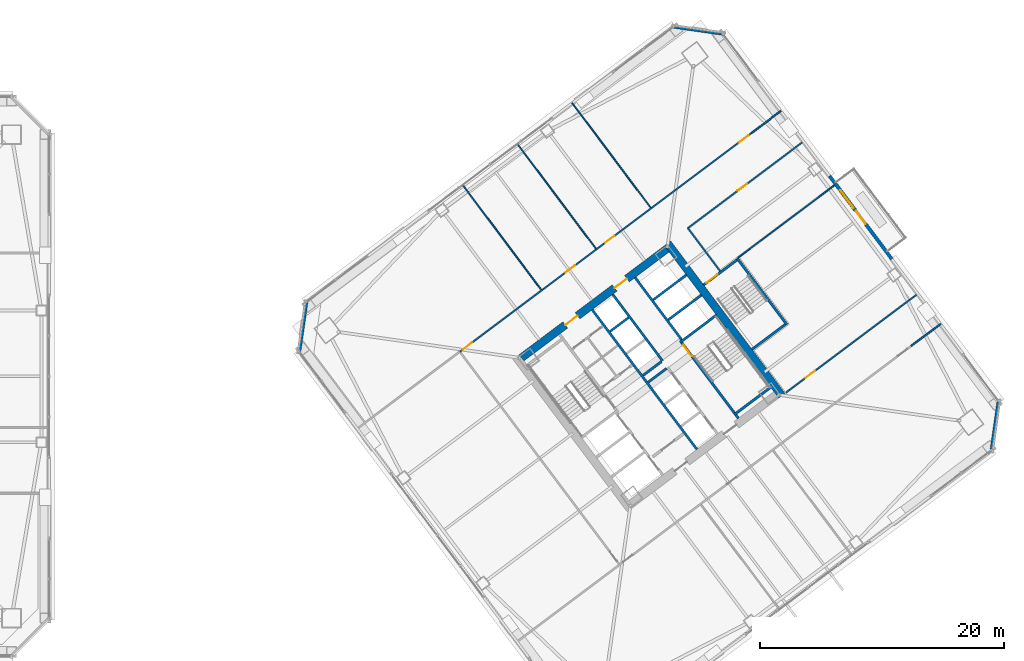
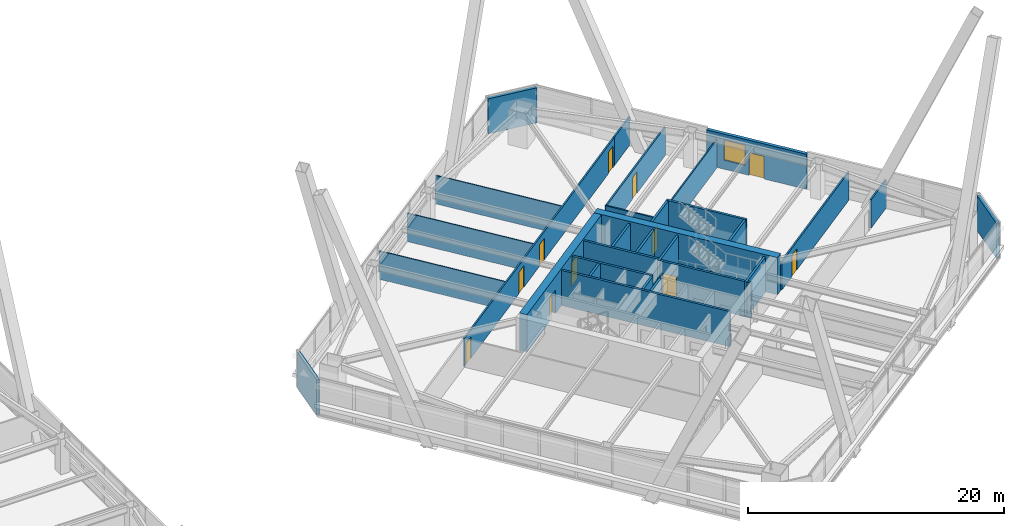
# One storey, part 65 of 75: 30 walls, 11 doors, 1 window, 12 openings.
"""IFC4 building model written with IfcOpenShell, lengths in metres."""

from ifc_helpers import new_model, si_unit, direction, frame, frame_2d, origin, place, context, subcontext, project, spatial, rectangle, extrude, material, layer, layer_set, type_object, element, fill, save


model = new_model("IFC4")

# Units and contexts
model_context = context("Model", 3, precision=1e-05, world=origin(), true_north=direction((0.0, 1.0)))
body_context = subcontext(model_context, "Body", "Model", "MODEL_VIEW")
ifc_project = project(units=[si_unit("LENGTHUNIT", "METRE"), si_unit("AREAUNIT", "SQUARE_METRE"), si_unit("VOLUMEUNIT", "CUBIC_METRE"), si_unit("PLANEANGLEUNIT", "RADIAN"), si_unit("MASSUNIT", "GRAM", prefix="KILO")], contexts=[model_context])

# Site, building, storey
site_placement = place(None, origin())
site = spatial("IfcSite", under=ifc_project, at=site_placement, CompositionType="ELEMENT")
building_placement = place(site_placement, origin())
building = spatial("IfcBuilding", under=site, at=building_placement, Name="Tashvorn Skyway Center", CompositionType="ELEMENT")
storey_placement = place(building_placement, frame((0.0, 0.0, 45.89990234375)))
storey = spatial("IfcBuildingStorey", under=building, at=storey_placement, Name="L11", CompositionType="ELEMENT", Elevation=45.89990234375)

# Wall
ifc_material_1 = material(Name="Concrete C60/75", Category="concrete")
ifc_layer_1 = layer(ifc_material_1, 0.64990234375)
ifc_layer_set_1 = layer_set([ifc_layer_1], Name="Concrete C60/75")
wall_type_1 = type_object("IfcWallType", Name="WALL-CORE-650", PredefinedType="SHEAR", material=ifc_layer_set_1)
wall_1_placement = place(storey_placement, frame((115.52392578125, 42.89306640625, 0.0), z_axis=(0.0, 0.0, 1.0), x_axis=(0.600005007985, -0.799996243986, 0.0)))
element("IfcWall", 1, at=wall_1_placement, inside=storey, type_object=wall_type_1, Name="Tower 2 L11 East Core Shear Wall", PredefinedType="SHEAR", context=body_context, shape_type="SweptSolid", body=[
    extrude(rectangle(XDim=15.60009765625, YDim=0.64990234375, at=frame_2d((7.800048828125, 0.0))), origin(), (0.0, 0.0, 1.0), 3.550048828125),
])

# Wall, openings, doors
wall_2_placement = place(storey_placement, frame((103.571044921875, 33.52197265625, 0.0), z_axis=(0.0, 0.0, 1.0), x_axis=(0.799998028465, 0.600002628705, 0.0)))
wall_2 = element("IfcWall", 2, at=wall_2_placement, inside=storey, type_object=wall_type_1, Name="Tower 2 L11 North Core Shear Wall", PredefinedType="SHEAR", context=body_context, shape_type="SweptSolid", body=[
    extrude(rectangle(XDim=14.85986328125, YDim=0.64990234375, at=frame_2d((7.429931640625, 0.0))), origin(), (0.0, 0.0, 1.0), 3.550048828125),
])
opening_1_placement = place(wall_2_placement, frame((4.47998046875, 0.0, 0.0)))
opening_1 = element("IfcOpeningElement", 3, at=opening_1_placement, cuts=wall_2, Name="Opening D-FFL-1250", PredefinedType="OPENING", context=body_context, shape_type="SweptSolid", body=[
    extrude(rectangle(XDim=1.25, YDim=2.25, at=frame_2d((0.625, 1.125))), frame((0.0, 0.3349609375, 0.0), z_axis=(0.0, -1.0, 0.0), x_axis=(1.0, 0.0, 0.0)), (0.0, 0.0, 1.0), 0.669921875),
])
opening_2_placement = place(wall_2_placement, frame((9.530029296875, 0.0, 0.0)))
opening_2 = element("IfcOpeningElement", 4, at=opening_2_placement, cuts=wall_2, Name="Opening D-FFL-1250", PredefinedType="OPENING", context=body_context, shape_type="SweptSolid", body=[
    extrude(rectangle(XDim=1.25, YDim=2.25, at=frame_2d((0.625, 1.125))), frame((0.0, 0.3349609375, 0.0), z_axis=(0.0, -1.0, 0.0), x_axis=(1.0, 0.0, 0.0)), (0.0, 0.0, 1.0), 0.669921875),
])
ifc_material_2 = material(Name="Hollow galvanized steel fire door assembly", Category="steel")
door_type_1 = type_object("IfcDoorType", Name="DOOR-FFL-1250", OperationType="NOTDEFINED", PredefinedType="DOOR", material=ifc_material_2)
door_1_placement = place(opening_1_placement, origin())
door_1 = element("IfcDoor", 5, at=door_1_placement, inside=storey, type_object=door_type_1, Name="Tower 2 L11 Core North Service Lobby Door", OperationType="SINGLE_SWING_LEFT", OverallHeight=2.25, OverallWidth=1.25, PredefinedType="DOOR", context=body_context, shape_type="SweptSolid", body=[
    extrude(rectangle(XDim=1.25, YDim=2.25, at=frame_2d((0.625, 1.125))), frame((0.0, 0.02490234375, 0.0), z_axis=(0.0, -1.0, 0.0), x_axis=(1.0, 0.0, 0.0)), (0.0, 0.0, 1.0), 0.050048828125),
])
fill(opening_1, door_1)
door_2_placement = place(opening_2_placement, origin())
door_2 = element("IfcDoor", 6, at=door_2_placement, inside=storey, type_object=door_type_1, Name="Tower 2 L11 Core North Lift Lobby Door", OperationType="SINGLE_SWING_RIGHT", OverallHeight=2.25, OverallWidth=1.25, PredefinedType="DOOR", context=body_context, shape_type="SweptSolid", body=[
    extrude(rectangle(XDim=1.25, YDim=2.25, at=frame_2d((0.625, 1.125))), frame((0.0, 0.02490234375, 0.0), z_axis=(0.0, -1.0, 0.0), x_axis=(1.0, 0.0, 0.0)), (0.0, 0.0, 1.0), 0.050048828125),
])
fill(opening_2, door_2)

# Wall, openings, door, window
ifc_material_3 = material(Name="Precast concrete C40/50", Category="concrete")
ifc_layer_2 = layer(ifc_material_3, 0.280029296875)
ifc_layer_set_2 = layer_set([ifc_layer_2], Name="Precast concrete C40/50")
wall_type_2 = type_object("IfcWallType", Name="WALL-EXT-280", PredefinedType="SOLIDWALL", material=ifc_layer_set_2)
wall_3_placement = place(storey_placement, frame((128.7939453125, 48.407958984375, 0.0), z_axis=(0.0, 0.0, 1.0), x_axis=(0.600004595526, -0.799996553335, 0.0)))
wall_3 = element("IfcWall", 7, at=wall_3_placement, inside=storey, type_object=wall_type_2, Name="Tower 2 L11 East Terrace Portal Wall", PredefinedType="SOLIDWALL", context=body_context, shape_type="SweptSolid", body=[
    extrude(rectangle(XDim=8.5, YDim=0.280029296875, at=frame_2d((4.25, 0.0))), origin(), (0.0, 0.0, 1.0), 3.35009765625),
])
opening_3_placement = place(wall_3_placement, frame((3.60009765625, 0.0, 0.0)))
opening_3 = element("IfcOpeningElement", 8, at=opening_3_placement, cuts=wall_3, Name="Opening D-TER-1300", PredefinedType="OPENING", context=body_context, shape_type="SweptSolid", body=[
    extrude(rectangle(XDim=1.300048828125, YDim=2.14990234375, at=frame_2d((0.64990234375, 1.074951171875))), frame((0.0, 0.14990234375, 0.0), z_axis=(0.0, -1.0, 0.0), x_axis=(1.0, 0.0, 0.0)), (0.0, 0.0, 1.0), 0.300048828125),
])
opening_4_placement = place(wall_3_placement, frame((1.4599609375, 0.0, 0.85009765625)))
opening_4 = element("IfcOpeningElement", 9, at=opening_4_placement, cuts=wall_3, Name="Opening WIN-1800", PredefinedType="OPENING", context=body_context, shape_type="SweptSolid", body=[
    extrude(rectangle(XDim=1.800048828125, YDim=1.919921875, at=frame_2d((0.89990234375, 0.9599609375))), frame((0.0, 0.14990234375, 0.0), z_axis=(0.0, -1.0, 0.0), x_axis=(1.0, 0.0, 0.0)), (0.0, 0.0, 1.0), 0.300048828125),
])
ifc_material_4 = material(Name="Thermally broken bronze-anodized aluminium 6063-T6", Category="aluminium")
door_type_2 = type_object("IfcDoorType", Name="DOOR-TERR-1300", OperationType="NOTDEFINED", PredefinedType="DOOR", material=ifc_material_4)
door_3_placement = place(opening_3_placement, origin())
door_3 = element("IfcDoor", 10, at=door_3_placement, inside=storey, type_object=door_type_2, Name="Tower 2 L11 Terrace Access Door", OperationType="SINGLE_SWING_RIGHT", OverallHeight=2.14990234375, OverallWidth=1.300048828125, PredefinedType="DOOR", context=body_context, shape_type="SweptSolid", body=[
    extrude(rectangle(XDim=1.300048828125, YDim=2.14990234375, at=frame_2d((0.64990234375, 1.074951171875))), frame((0.0, 0.02490234375, 0.0), z_axis=(0.0, -1.0, 0.0), x_axis=(1.0, 0.0, 0.0)), (0.0, 0.0, 1.0), 0.050048828125),
])
fill(opening_3, door_3)
ifc_material_5 = material(Name="Low-E solar-control double insulating safety glass", Category="glass")
window_type = type_object("IfcWindowType", Name="WIN-TERR-1800", PartitioningType="SINGLE_PANEL", PredefinedType="WINDOW", material=ifc_material_5)
window_placement = place(opening_4_placement, origin())
window = element("IfcWindow", 11, at=window_placement, inside=storey, type_object=window_type, Name="Tower 2 L11 Terrace Window", OverallHeight=1.919921875, OverallWidth=1.800048828125, PartitioningType="SINGLE_PANEL", PredefinedType="WINDOW", context=body_context, shape_type="SweptSolid", body=[
    extrude(rectangle(XDim=1.800048828125, YDim=1.919921875, at=frame_2d((0.89990234375, 0.9599609375))), frame((0.0, 0.030029296875, 0.0), z_axis=(0.0, -1.0, 0.0), x_axis=(1.0, 0.0, 0.0)), (0.0, 0.0, 1.0), 0.06005859375),
])
fill(opening_4, window)

# Walls
for number, where, z_axis, x_axis, name in (
    (12, (85.360107421875, 34.02001953125, 0.0), (0.0, 0.0, 1.0), (0.14137968631, 0.989955445613, 0.0), "Tower 2 L11 NW Precast Chamfer Wall"),
    (13, (116.02001953125, 60.639892578125, 0.0), (0.0, 0.0, 1.0), (0.989955445613, -0.14137968631, 0.0), "Tower 2 L11 NE Precast Chamfer Wall"),
    (14, (142.639892578125, 29.97998046875, 0.0), (0.0, 0.0, 1.0), (-0.14137968631, -0.989955445613, 0.0), "Tower 2 L11 SE Precast Chamfer Wall"),
):
    element("IfcWall", number, at=place(storey_placement, frame(where, z_axis=z_axis, x_axis=x_axis)), inside=storey, type_object=wall_type_2, Name=name, PredefinedType="SOLIDWALL", context=body_context, shape_type="SweptSolid", body=[
        extrude(rectangle(XDim=4.101318359375, YDim=0.280029296875, at=frame_2d((2.05078125, 0.0))), origin(), (0.0, 0.0, 1.0), 3.35009765625),
    ])
ifc_material_6 = material(Name="Gypsum board on cold-formed steel stud framing", Category="steel")
ifc_layer_3 = layer(ifc_material_6, 0.110107421875)
ifc_layer_set_3 = layer_set([ifc_layer_3], Name="Gypsum board on cold-formed steel stud framing")
wall_type_3 = type_object("IfcWallType", Name="WALL-PART-110", PredefinedType="PARTITIONING", material=ifc_layer_set_3)
wall_4_placement = place(storey_placement, frame((105.172119140625, 39.10400390625, 0.0), z_axis=(0.0, 0.0, 1.0), x_axis=(-0.600007301277, 0.79999452399, 0.0)))
element("IfcWall", 15, at=wall_4_placement, inside=storey, type_object=wall_type_3, Name="Tower 2 L11 North Suite Partition 1", PredefinedType="PARTITIONING", context=body_context, shape_type="SweptSolid", body=[
    extrude(rectangle(XDim=10.7001953125, YDim=0.110107421875, at=frame_2d((5.35009765625, 0.0))), origin(), (0.0, 0.0, 1.0), 2.703125),
])
wall_5_placement = place(storey_placement, frame((109.652099609375, 42.464111328125, 0.0), z_axis=(0.0, 0.0, 1.0), x_axis=(-0.600018253432, 0.799986309601, 0.0)))
element("IfcWall", 16, at=wall_5_placement, inside=storey, type_object=wall_type_3, Name="Tower 2 L11 North Suite Partition 2", PredefinedType="PARTITIONING", context=body_context, shape_type="SweptSolid", body=[
    extrude(rectangle(XDim=10.699951171875, YDim=0.110107421875, at=frame_2d((5.35009765625, 0.0))), origin(), (0.0, 0.0, 1.0), 2.703125),
])
wall_6_placement = place(storey_placement, frame((114.132080078125, 45.823974609375, 0.0), z_axis=(0.0, 0.0, 1.0), x_axis=(-0.600007301277, 0.79999452399, 0.0)))
element("IfcWall", 17, at=wall_6_placement, inside=storey, type_object=wall_type_3, Name="Tower 2 L11 North Suite Partition 3", PredefinedType="PARTITIONING", context=body_context, shape_type="SweptSolid", body=[
    extrude(rectangle(XDim=10.7001953125, YDim=0.110107421875, at=frame_2d((5.35009765625, 0.0))), origin(), (0.0, 0.0, 1.0), 2.703125),
])
wall_7_placement = place(storey_placement, frame((129.18408203125, 47.637939453125, 0.0), z_axis=(0.0, 0.0, 1.0), x_axis=(-0.800008922773, -0.599988102785, 0.0)))
element("IfcWall", 18, at=wall_7_placement, inside=storey, type_object=wall_type_3, Name="Tower 2 L11 East Suite Partition 1", PredefinedType="PARTITIONING", context=body_context, shape_type="SweptSolid", body=[
    extrude(rectangle(XDim=9.85009765625, YDim=0.110107421875, at=frame_2d((4.925048828125, 0.0))), origin(), (0.0, 0.0, 1.0), 2.703125),
])
ifc_layer_4 = layer(ifc_material_6, 0.135009765625)
ifc_layer_set_4 = layer_set([ifc_layer_4], Name="Gypsum board on cold-formed steel stud framing")
wall_type_4 = type_object("IfcWallType", Name="WALL-PART-135", PredefinedType="PARTITIONING", material=ifc_layer_set_4)
wall_8_placement = place(storey_placement, frame((119.823974609375, 40.617919921875, 0.0), z_axis=(0.0, 0.0, 1.0), x_axis=(-0.599982243973, 0.800013316712, 0.0)))
element("IfcWall", 19, at=wall_8_placement, inside=storey, type_object=wall_type_4, Name="Tower 2 L11 Stair 3 Access Corridor Wall", PredefinedType="PARTITIONING", context=body_context, shape_type="SweptSolid", body=[
    extrude(rectangle(XDim=4.39990234375, YDim=0.135009765625, at=frame_2d((2.199951171875, 0.0))), origin(), (0.0, 0.0, 1.0), 2.703125),
])

# Wall, openings, doors
wall_9_placement = place(storey_placement, frame((98.51611328125, 34.011962890625, 0.0), z_axis=(0.0, 0.0, 1.0), x_axis=(0.799998035726, 0.600002619023, 0.0)))
wall_9 = element("IfcWall", 20, at=wall_9_placement, inside=storey, type_object=wall_type_4, Name="Tower 2 L11 North Suite Wall", PredefinedType="PARTITIONING", context=body_context, shape_type="SweptSolid", body=[
    extrude(rectangle(XDim=29.829833984375, YDim=0.135009765625, at=frame_2d((14.9150390625, 0.0))), origin(), (0.0, 0.0, 1.0), 2.703125),
])
opening_5_placement = place(wall_9_placement, frame((0.300048828125, 0.0, 0.0)))
opening_5 = element("IfcOpeningElement", 21, at=opening_5_placement, cuts=wall_9, Name="Opening D-INT-950", PredefinedType="OPENING", context=body_context, shape_type="SweptSolid", body=[
    extrude(rectangle(XDim=0.949951171875, YDim=2.050048828125, at=frame_2d((0.47509765625, 1.02490234375))), frame((0.0, 0.077392578125, 0.0), z_axis=(0.0, -1.0, 0.0), x_axis=(1.0, 0.0, 0.0)), (0.0, 0.0, 1.0), 0.155029296875),
])
opening_6_placement = place(wall_9_placement, frame((10.834716796875, 0.0, 0.0)))
opening_6 = element("IfcOpeningElement", 22, at=opening_6_placement, cuts=wall_9, Name="Opening D-INT-950", PredefinedType="OPENING", context=body_context, shape_type="SweptSolid", body=[
    extrude(rectangle(XDim=0.949951171875, YDim=2.050048828125, at=frame_2d((0.47509765625, 1.02490234375))), frame((0.0, 0.077392578125, 0.0), z_axis=(0.0, -1.0, 0.0), x_axis=(1.0, 0.0, 0.0)), (0.0, 0.0, 1.0), 0.155029296875),
])
opening_7_placement = place(wall_9_placement, frame((14.878662109375, 0.0, 0.0)))
opening_7 = element("IfcOpeningElement", 23, at=opening_7_placement, cuts=wall_9, Name="Opening D-INT-950", PredefinedType="OPENING", context=body_context, shape_type="SweptSolid", body=[
    extrude(rectangle(XDim=0.949951171875, YDim=2.050048828125, at=frame_2d((0.47509765625, 1.02490234375))), frame((0.0, 0.077392578125, 0.0), z_axis=(0.0, -1.0, 0.0), x_axis=(1.0, 0.0, 0.0)), (0.0, 0.0, 1.0), 0.155029296875),
])
opening_8_placement = place(wall_9_placement, frame((28.580078125, 0.0, 0.0)))
opening_8 = element("IfcOpeningElement", 24, at=opening_8_placement, cuts=wall_9, Name="Opening D-INT-950", PredefinedType="OPENING", context=body_context, shape_type="SweptSolid", body=[
    extrude(rectangle(XDim=0.949951171875, YDim=2.050048828125, at=frame_2d((0.47509765625, 1.02490234375))), frame((0.0, 0.077392578125, 0.0), z_axis=(0.0, -1.0, 0.0), x_axis=(1.0, 0.0, 0.0)), (0.0, 0.0, 1.0), 0.155029296875),
])
ifc_material_7 = material(Name="Solid-core architectural oak veneer door")
door_type_3 = type_object("IfcDoorType", Name="DOOR-INT-950", OperationType="NOTDEFINED", PredefinedType="DOOR", material=ifc_material_7)
door_4_placement = place(opening_5_placement, origin())
door_4 = element("IfcDoor", 25, at=door_4_placement, inside=storey, type_object=door_type_3, Name="Tower 2 L11 Research Library Door", OperationType="SINGLE_SWING_LEFT", OverallHeight=2.050048828125, OverallWidth=0.949951171875, PredefinedType="DOOR", context=body_context, shape_type="SweptSolid", body=[
    extrude(rectangle(XDim=0.949951171875, YDim=2.050048828125, at=frame_2d((0.47509765625, 1.02490234375))), frame((0.0, 0.02490234375, 0.0), z_axis=(0.0, -1.0, 0.0), x_axis=(1.0, 0.0, 0.0)), (0.0, 0.0, 1.0), 0.050048828125),
])
fill(opening_5, door_4)
door_5_placement = place(opening_6_placement, origin())
door_5 = element("IfcDoor", 26, at=door_5_placement, inside=storey, type_object=door_type_3, Name="Tower 2 L11 Research Library Door", OperationType="SINGLE_SWING_RIGHT", OverallHeight=2.050048828125, OverallWidth=0.949951171875, PredefinedType="DOOR", context=body_context, shape_type="SweptSolid", body=[
    extrude(rectangle(XDim=0.949951171875, YDim=2.050048828125, at=frame_2d((0.47509765625, 1.02490234375))), frame((0.0, 0.02490234375, 0.0), z_axis=(0.0, -1.0, 0.0), x_axis=(1.0, 0.0, 0.0)), (0.0, 0.0, 1.0), 0.050048828125),
])
fill(opening_6, door_5)
door_6_placement = place(opening_7_placement, origin())
door_6 = element("IfcDoor", 27, at=door_6_placement, inside=storey, type_object=door_type_3, Name="Tower 2 L11 Reading Lounge Door", OperationType="SINGLE_SWING_LEFT", OverallHeight=2.050048828125, OverallWidth=0.949951171875, PredefinedType="DOOR", context=body_context, shape_type="SweptSolid", body=[
    extrude(rectangle(XDim=0.949951171875, YDim=2.050048828125, at=frame_2d((0.47509765625, 1.02490234375))), frame((0.0, 0.02490234375, 0.0), z_axis=(0.0, -1.0, 0.0), x_axis=(1.0, 0.0, 0.0)), (0.0, 0.0, 1.0), 0.050048828125),
])
fill(opening_7, door_6)
door_7_placement = place(opening_8_placement, origin())
door_7 = element("IfcDoor", 28, at=door_7_placement, inside=storey, type_object=door_type_3, Name="Tower 2 L11 Research Library Door", OperationType="SINGLE_SWING_RIGHT", OverallHeight=2.050048828125, OverallWidth=0.949951171875, PredefinedType="DOOR", context=body_context, shape_type="SweptSolid", body=[
    extrude(rectangle(XDim=0.949951171875, YDim=2.050048828125, at=frame_2d((0.47509765625, 1.02490234375))), frame((0.0, 0.02490234375, 0.0), z_axis=(0.0, -1.0, 0.0), x_axis=(1.0, 0.0, 0.0)), (0.0, 0.0, 1.0), 0.050048828125),
])
fill(opening_8, door_7)

# Walls
for number, where, z_axis, x_axis, name in (
    (29, (122.3798828125, 51.909912109375, 0.0), (0.0, 0.0, 1.0), (0.799990331366, 0.600012891296, 0.0), "Tower 2 L11 North-East Suite South Wall"),
    (30, (135.4599609375, 34.469970703125, 0.0), (0.0, 0.0, 1.0), (0.799990331366, 0.600012891296, 0.0), "Tower 2 L11 South-East Suite North Wall"),
):
    element("IfcWall", number, at=place(storey_placement, frame(where, z_axis=z_axis, x_axis=x_axis)), inside=storey, type_object=wall_type_4, Name=name, PredefinedType="PARTITIONING", context=body_context, shape_type="SweptSolid", body=[
        extrude(rectangle(XDim=3.030029296875, YDim=0.135009765625, at=frame_2d((1.51513671875, 0.0))), origin(), (0.0, 0.0, 1.0), 2.703125),
    ])

# Wall, opening, door
wall_10_placement = place(storey_placement, frame((126.5439453125, 51.157958984375, 0.0), z_axis=(0.0, 0.0, 1.0), x_axis=(-0.799994991918, -0.600006677385, 0.0)))
wall_10 = element("IfcWall", 31, at=wall_10_placement, inside=storey, type_object=wall_type_4, Name="Tower 2 L11 East Suite North Wall", PredefinedType="PARTITIONING", context=body_context, shape_type="SweptSolid", body=[
    extrude(rectangle(XDim=11.699951171875, YDim=0.135009765625, at=frame_2d((5.85009765625, 0.0))), origin(), (0.0, 0.0, 1.0), 2.703125),
])
opening_9_placement = place(wall_10_placement, frame((5.64990234375, 0.0, 0.0)))
opening_9 = element("IfcOpeningElement", 32, at=opening_9_placement, cuts=wall_10, Name="Opening D-INT-950", PredefinedType="OPENING", context=body_context, shape_type="SweptSolid", body=[
    extrude(rectangle(XDim=0.949951171875, YDim=2.050048828125, at=frame_2d((0.47509765625, 1.02490234375))), frame((0.0, 0.077392578125, 0.0), z_axis=(0.0, -1.0, 0.0), x_axis=(1.0, 0.0, 0.0)), (0.0, 0.0, 1.0), 0.155029296875),
])
door_8_placement = place(opening_9_placement, origin())
door_8 = element("IfcDoor", 33, at=door_8_placement, inside=storey, type_object=door_type_3, Name="Tower 2 L11 Research Library Door", OperationType="SINGLE_SWING_RIGHT", OverallHeight=2.050048828125, OverallWidth=0.949951171875, PredefinedType="DOOR", context=body_context, shape_type="SweptSolid", body=[
    extrude(rectangle(XDim=0.949951171875, YDim=2.050048828125, at=frame_2d((0.47509765625, 1.02490234375))), frame((0.0, 0.02490234375, 0.0), z_axis=(0.0, -1.0, 0.0), x_axis=(1.0, 0.0, 0.0)), (0.0, 0.0, 1.0), 0.050048828125),
])
fill(opening_9, door_8)

wall_11_placement = place(storey_placement, frame((125.2080078125, 30.656005859375, 0.0), z_axis=(0.0, 0.0, 1.0), x_axis=(0.800002191231, 0.599997078347, 0.0)))
wall_11 = element("IfcWall", 34, at=wall_11_placement, inside=storey, type_object=wall_type_4, Name="Tower 2 L11 East Suite South Wall", PredefinedType="PARTITIONING", context=body_context, shape_type="SweptSolid", body=[
    extrude(rectangle(XDim=13.3701171875, YDim=0.135009765625, at=frame_2d((6.68505859375, 0.0))), origin(), (0.0, 0.0, 1.0), 2.703125),
])
opening_10_placement = place(wall_11_placement, frame((2.044921875, 0.0, 0.0)))
opening_10 = element("IfcOpeningElement", 35, at=opening_10_placement, cuts=wall_11, Name="Opening D-INT-950", PredefinedType="OPENING", context=body_context, shape_type="SweptSolid", body=[
    extrude(rectangle(XDim=0.949951171875, YDim=2.050048828125, at=frame_2d((0.47509765625, 1.02490234375))), frame((0.0, 0.077392578125, 0.0), z_axis=(0.0, -1.0, 0.0), x_axis=(1.0, 0.0, 0.0)), (0.0, 0.0, 1.0), 0.155029296875),
])
door_9_placement = place(opening_10_placement, origin())
door_9 = element("IfcDoor", 36, at=door_9_placement, inside=storey, type_object=door_type_3, Name="Tower 2 L11 Public Restroom Door", OperationType="SINGLE_SWING_LEFT", OverallHeight=2.050048828125, OverallWidth=0.949951171875, PredefinedType="DOOR", context=body_context, shape_type="SweptSolid", body=[
    extrude(rectangle(XDim=0.949951171875, YDim=2.050048828125, at=frame_2d((0.47509765625, 1.02490234375))), frame((0.0, 0.02490234375, 0.0), z_axis=(0.0, -1.0, 0.0), x_axis=(1.0, 0.0, 0.0)), (0.0, 0.0, 1.0), 0.050048828125),
])
fill(opening_10, door_9)

# Walls
ifc_material_8 = material(Name="Concrete C40/50", Category="concrete")
ifc_layer_5 = layer(ifc_material_8, 0.199951171875)
ifc_layer_set_5 = layer_set([ifc_layer_5], Name="Concrete C40/50")
wall_type_5 = type_object("IfcWallType", Name="WALL-SHAFT-200", PredefinedType="SOLIDWALL", material=ifc_layer_set_5)
for number, where, z_axis, x_axis, name in (
    (37, (115.590087890625, 36.6298828125, 0.0), (0.0, 0.0, 1.0), (0.799973995579, 0.600034670996, 0.0), "Tower 2 L11 High-Rise Shaft Divider"),
    (38, (114.360107421875, 38.27001953125, 0.0), (0.0, 0.0, 1.0), (0.799973995579, 0.600034670996, 0.0), "Tower 2 L11 High-Rise Shaft Divider"),
):
    element("IfcWall", number, at=place(storey_placement, frame(where, z_axis=z_axis, x_axis=x_axis)), inside=storey, type_object=wall_type_5, Name=name, PredefinedType="SOLIDWALL", context=body_context, shape_type="SweptSolid", body=[
        extrude(rectangle(XDim=3.3798828125, YDim=0.199951171875, at=frame_2d((1.68994140625, 0.0))), origin(), (0.0, 0.0, 1.0), 3.35009765625),
    ])
wall_12_placement = place(storey_placement, frame((113.946044921875, 31.52197265625, 0.0), z_axis=(0.0, 0.0, 1.0), x_axis=(0.8, 0.6, 0.0)))
element("IfcWall", 39, at=wall_12_placement, inside=storey, type_object=wall_type_5, Name="Tower 2 L11 Low-Rise Shaft Divider", PredefinedType="SOLIDWALL", context=body_context, shape_type="SweptSolid", body=[
    extrude(rectangle(XDim=1.8798828125, YDim=0.199951171875, at=frame_2d((0.93994140625, 0.0))), origin(), (0.0, 0.0, 1.0), 3.35009765625),
])
wall_13_placement = place(storey_placement, frame((115.110107421875, 33.27001953125, 0.0), z_axis=(0.0, 0.0, 1.0), x_axis=(-0.600011488909, 0.79999138319, 0.0)))
element("IfcWall", 40, at=wall_13_placement, inside=storey, type_object=wall_type_5, Name="Tower 2 L11 Mid-Rise Core Wall", PredefinedType="SOLIDWALL", context=body_context, shape_type="SweptSolid", body=[
    extrude(rectangle(XDim=6.800048828125, YDim=0.199951171875, at=frame_2d((3.39990234375, 0.0))), origin(), (0.0, 0.0, 1.0), 3.35009765625),
])
for number, where, z_axis, x_axis, name in (
    (41, (113.52587890625, 32.08203125, 0.0), (0.0, 0.0, 1.0), (0.800046745961, 0.599937666993, 0.0), "Tower 2 L11 Mid-Rise Shaft Divider"),
    (42, (110.825927734375, 35.681884765625, 0.0), (0.0, 0.0, 1.0), (0.799984418148, 0.600020775241, 0.0), "Tower 2 L11 Mid-Rise Shaft Divider"),
):
    element("IfcWall", number, at=place(storey_placement, frame(where, z_axis=z_axis, x_axis=x_axis)), inside=storey, type_object=wall_type_5, Name=name, PredefinedType="SOLIDWALL", context=body_context, shape_type="SweptSolid", body=[
        extrude(rectangle(XDim=1.880126953125, YDim=0.199951171875, at=frame_2d((0.93994140625, 0.0))), origin(), (0.0, 0.0, 1.0), 3.35009765625),
    ])

# Wall, opening, door
ifc_layer_6 = layer(ifc_material_8, 0.199951171875)
ifc_layer_set_6 = layer_set([ifc_layer_6], Name="Concrete C40/50")
wall_type_6 = type_object("IfcWallType", Name="WALL-STSHF-200", PredefinedType="SHEAR", material=ifc_layer_set_6)
wall_14_placement = place(storey_placement, frame((116.56005859375, 34.919921875, 0.0), z_axis=(0.0, 0.0, 1.0), x_axis=(0.600009827119, -0.799992629566, 0.0)))
wall_14 = element("IfcWall", 43, at=wall_14_placement, inside=storey, type_object=wall_type_6, Name="Tower 2 L11 Stair 2 Enclosure Wall", PredefinedType="SHEAR", context=body_context, shape_type="SweptSolid", body=[
    extrude(rectangle(XDim=7.949951171875, YDim=0.199951171875, at=frame_2d((3.97509765625, 0.0))), origin(), (0.0, 0.0, 1.0), 3.35009765625),
])
opening_11_placement = place(wall_14_placement, frame((0.449951171875, 0.0, 0.0)))
opening_11 = element("IfcOpeningElement", 44, at=opening_11_placement, cuts=wall_14, Name="Opening D-ST-1150", PredefinedType="OPENING", context=body_context, shape_type="SweptSolid", body=[
    extrude(rectangle(XDim=1.14990234375, YDim=2.199951171875, at=frame_2d((0.574951171875, 1.10009765625))), frame((0.0, 0.10986328125, 0.0), z_axis=(0.0, -1.0, 0.0), x_axis=(1.0, 0.0, 0.0)), (0.0, 0.0, 1.0), 0.219970703125),
])
door_type_4 = type_object("IfcDoorType", Name="DOOR-STAIR-1150", OperationType="NOTDEFINED", PredefinedType="DOOR", material=ifc_material_2)
door_10_placement = place(opening_11_placement, origin())
door_10 = element("IfcDoor", 45, at=door_10_placement, inside=storey, type_object=door_type_4, Name="Tower 2 L11 Exit Stair 2 Door", OperationType="SINGLE_SWING_RIGHT", OverallHeight=2.199951171875, OverallWidth=1.14990234375, PredefinedType="DOOR", context=body_context, shape_type="SweptSolid", body=[
    extrude(rectangle(XDim=1.14990234375, YDim=2.199951171875, at=frame_2d((0.574951171875, 1.10009765625))), frame((0.0, 0.02490234375, 0.0), z_axis=(0.0, -1.0, 0.0), x_axis=(1.0, 0.0, 0.0)), (0.0, 0.0, 1.0), 0.050048828125),
])
fill(opening_11, door_10)

# Walls
for number, where, z_axis, x_axis, name in (
    (46, (116.5400390625, 34.780029296875, 0.0), (0.0, 0.0, 1.0), (0.799984290658, 0.600020945218, 0.0), "Tower 2 L11 Stair 2 North Wall"),
    (47, (120.97998046875, 28.860107421875, 0.0), (0.0, 0.0, 1.0), (0.800039270442, 0.59994763584, 0.0), "Tower 2 L11 Stair 2 South Wall"),
):
    element("IfcWall", number, at=place(storey_placement, frame(where, z_axis=z_axis, x_axis=x_axis)), inside=storey, type_object=wall_type_6, Name=name, PredefinedType="SHEAR", context=body_context, shape_type="SweptSolid", body=[
        extrude(rectangle(XDim=3.72998046875, YDim=0.199951171875, at=frame_2d((1.864990234375, 0.0))), origin(), (0.0, 0.0, 1.0), 3.35009765625),
    ])
wall_15_placement = place(storey_placement, frame((117.93798828125, 26.01611328125, 0.0), z_axis=(0.0, 0.0, 1.0), x_axis=(-0.600005463273, 0.799995902516, 0.0)))
element("IfcWall", 48, at=wall_15_placement, inside=storey, type_object=wall_type_6, Name="Tower 2 L11 Firefighting Lobby East Smoke Barrier", PredefinedType="SHEAR", context=body_context, shape_type="SweptSolid", body=[
    extrude(rectangle(XDim=14.300048828125, YDim=0.199951171875, at=frame_2d((7.14990234375, 0.0))), origin(), (0.0, 0.0, 1.0), 3.35009765625),
])
wall_16_placement = place(storey_placement, frame((112.8701171875, 40.090087890625, 0.0), z_axis=(0.0, 0.0, 1.0), x_axis=(0.599975393228, -0.800018454488, 0.0)))
element("IfcWall", 49, at=wall_16_placement, inside=storey, type_object=wall_type_6, Name="Tower 2 L11 High-Rise Lift Shaft Front Wall", PredefinedType="SHEAR", context=body_context, shape_type="SweptSolid", body=[
    extrude(rectangle(XDim=6.349853515625, YDim=0.199951171875, at=frame_2d((3.1748046875, 0.0))), origin(), (0.0, 0.0, 1.0), 3.35009765625),
])
wall_17_placement = place(storey_placement, frame((125.303955078125, 36.22802734375, 0.0), z_axis=(0.0, 0.0, 1.0), x_axis=(-0.59998851072, 0.800008616831, 0.0)))
element("IfcWall", 50, at=wall_17_placement, inside=storey, type_object=wall_type_6, Name="Tower 2 L11 Stair 3 Outer Wall", PredefinedType="SHEAR", context=body_context, shape_type="SweptSolid", body=[
    extrude(rectangle(XDim=6.7998046875, YDim=0.199951171875, at=frame_2d((3.39990234375, 0.0))), origin(), (0.0, 0.0, 1.0), 3.35009765625),
])

# Wall, opening, door
wall_18_placement = place(storey_placement, frame((121.2041015625, 41.528076171875, 0.0), z_axis=(0.0, 0.0, 1.0), x_axis=(-0.800017232136, -0.599977023131, 0.0)))
wall_18 = element("IfcWall", 51, at=wall_18_placement, inside=storey, type_object=wall_type_6, Name="Tower 2 L11 Stair 3 Enclosure Wall", PredefinedType="SHEAR", context=body_context, shape_type="SweptSolid", body=[
    extrude(rectangle(XDim=3.400146484375, YDim=0.199951171875, at=frame_2d((1.7001953125, 0.0))), origin(), (0.0, 0.0, 1.0), 3.35009765625),
])
opening_12_placement = place(wall_18_placement, frame((1.97509765625, 0.0, 0.0)))
opening_12 = element("IfcOpeningElement", 52, at=opening_12_placement, cuts=wall_18, Name="Opening D-ST-1150", PredefinedType="OPENING", context=body_context, shape_type="SweptSolid", body=[
    extrude(rectangle(XDim=1.14990234375, YDim=2.199951171875, at=frame_2d((0.574951171875, 1.10009765625))), frame((0.0, 0.10986328125, 0.0), z_axis=(0.0, -1.0, 0.0), x_axis=(1.0, 0.0, 0.0)), (0.0, 0.0, 1.0), 0.219970703125),
])
door_11_placement = place(opening_12_placement, origin())
door_11 = element("IfcDoor", 53, at=door_11_placement, inside=storey, type_object=door_type_4, Name="Tower 2 L11 Exit Stair 3 Door", OperationType="SINGLE_SWING_RIGHT", OverallHeight=2.199951171875, OverallWidth=1.14990234375, PredefinedType="DOOR", context=body_context, shape_type="SweptSolid", body=[
    extrude(rectangle(XDim=1.14990234375, YDim=2.199951171875, at=frame_2d((0.574951171875, 1.10009765625))), frame((0.0, 0.02490234375, 0.0), z_axis=(0.0, -1.0, 0.0), x_axis=(1.0, 0.0, 0.0)), (0.0, 0.0, 1.0), 0.050048828125),
])
fill(opening_12, door_11)

# Wall
wall_19_placement = place(storey_placement, frame((122.444091796875, 34.2080078125, 0.0), z_axis=(0.0, 0.0, 1.0), x_axis=(0.79999138319, 0.600011488909, 0.0)))
element("IfcWall", 54, at=wall_19_placement, inside=storey, type_object=wall_type_6, Name="Tower 2 L11 Stair 3 South Wall", PredefinedType="SHEAR", context=body_context, shape_type="SweptSolid", body=[
    extrude(rectangle(XDim=3.39990234375, YDim=0.199951171875, at=frame_2d((1.699951171875, 0.0))), origin(), (0.0, 0.0, 1.0), 3.35009765625),
])

save(model, "model.ifc")
